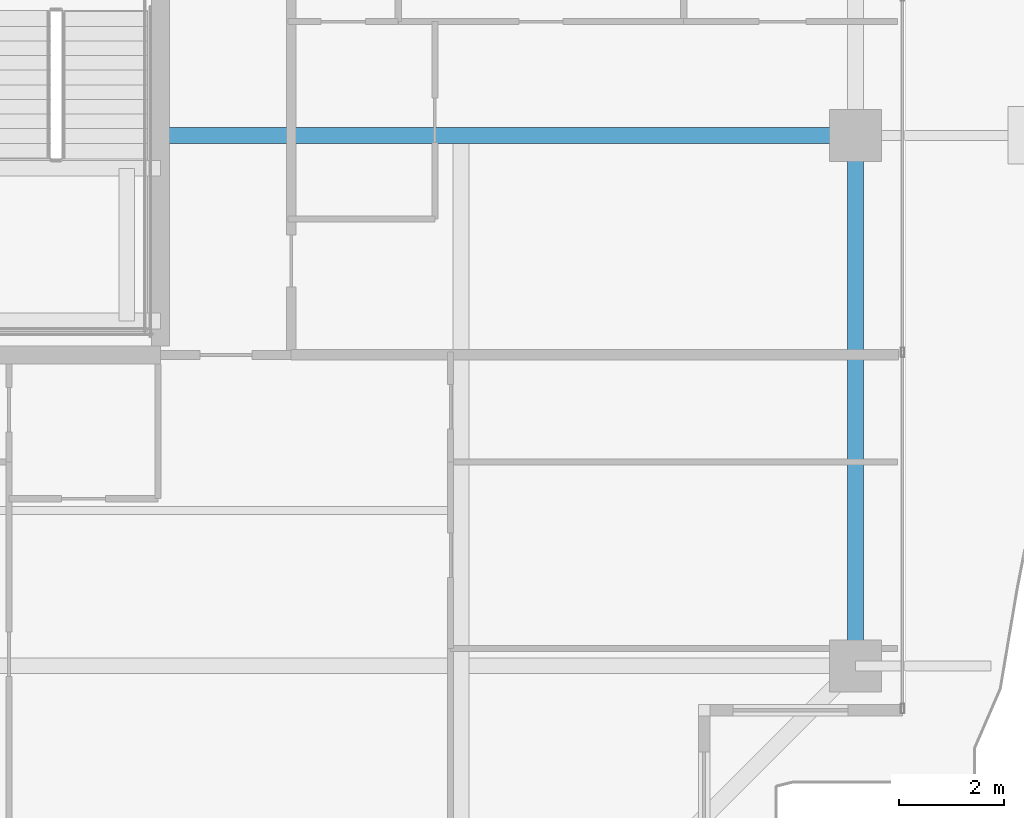
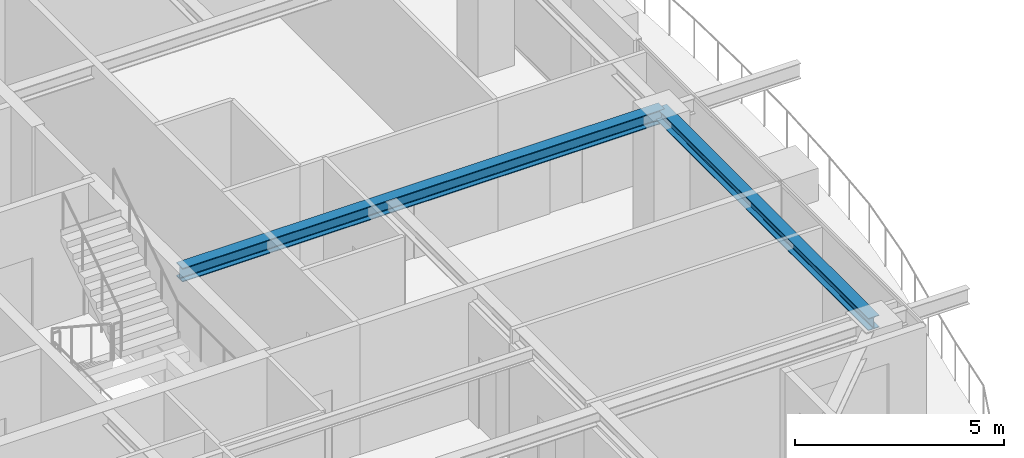
# One storey, part 15 of 42: 2 beams.
"""IFC4 building model written with IfcOpenShell, lengths in metres."""

from ifc_helpers import new_model, si_unit, direction, frame, origin, origin_2d, place, context, subcontext, project, spatial, i_section, extrude, source, transform, mapped, material, material_profile, profile_set, type_object, element, save


model = new_model("IFC4")

# Units and contexts
model_context = context("Model", 3, precision=1e-05, world=origin(), true_north=direction((0.0, 1.0)))
body_context = subcontext(model_context, "Body", "Model", "MODEL_VIEW")
ifc_project = project(units=[si_unit("LENGTHUNIT", "METRE"), si_unit("AREAUNIT", "SQUARE_METRE"), si_unit("VOLUMEUNIT", "CUBIC_METRE"), si_unit("PLANEANGLEUNIT", "RADIAN"), si_unit("MASSUNIT", "GRAM", prefix="KILO")], contexts=[model_context])

# Site, building, storey
site_placement = place(None, origin())
site = spatial("IfcSite", under=ifc_project, at=site_placement, CompositionType="ELEMENT")
building_placement = place(site_placement, origin())
building = spatial("IfcBuilding", under=site, at=building_placement, Name="Serunith Strait Residences", CompositionType="ELEMENT")
storey_placement = place(building_placement, frame((0.0, 0.0, 293.449951171875)))
storey = spatial("IfcBuildingStorey", under=building, at=storey_placement, Name="L73", CompositionType="ELEMENT", Elevation=293.449951171875)

# Beams
ifc_material = material(Name="Steel S355J2", Category="steel")
ifc_material_profile_1 = material_profile(ifc_material, i_section(OverallWidth=0.300048828125, OverallDepth=0.39990234375, WebThickness=0.013427734375, FlangeThickness=0.02392578125, FilletRadius=0.027099609375, at=origin_2d()), Name="HEB 400")
ifc_profile_set_1 = profile_set([ifc_material_profile_1], Name="Steel S355J2")
beam_type_1 = type_object("IfcBeamType", Name="BM-HEB400", PredefinedType="BEAM", material=ifc_profile_set_1)
shared_shape_1 = source(origin(), body_context, "Body", "SweptSolid", [
    extrude(i_section(OverallWidth=0.300048828125, OverallDepth=0.39990234375, WebThickness=0.013427734375, FlangeThickness=0.02392578125, FilletRadius=0.027099609375, at=origin_2d()), origin(), (0.0, 0.0, 1.0), 13.300048828125),
])
beam_1_placement = place(storey_placement, frame((41.39990234375, 21.0, 3.587158203125), z_axis=(1.0, 0.0, 0.0), x_axis=(0.0, 1.0, 0.0)))
element("IfcBeam", 1, at=beam_1_placement, inside=storey, type_object=beam_type_1, Name="L73 Primary Floor Girder TC-E2", PredefinedType="BEAM", context=body_context, shape_type="MappedRepresentation", body=[
    mapped(shared_shape_1, transform((0.0, 0.0, 0.0), scale=1.0)),
])
ifc_material_profile_2 = material_profile(ifc_material, i_section(OverallWidth=0.300048828125, OverallDepth=0.360107421875, WebThickness=0.012451171875, FlangeThickness=0.0224609375, FilletRadius=0.027099609375, at=origin_2d()), Name="HEB 360")
ifc_profile_set_2 = profile_set([ifc_material_profile_2], Name="Steel S355J2")
beam_type_2 = type_object("IfcBeamType", Name="BM-HEB360", PredefinedType="BEAM", material=ifc_profile_set_2)
shared_shape_2 = source(origin(), body_context, "Body", "SweptSolid", [
    extrude(i_section(OverallWidth=0.300048828125, OverallDepth=0.360107421875, WebThickness=0.012451171875, FlangeThickness=0.0224609375, FilletRadius=0.027099609375, at=origin_2d()), origin(), (0.0, 0.0, 1.0), 10.14990234375),
])
beam_2_placement = place(storey_placement, frame((54.699951171875, 10.85009765625, 3.60693359375), z_axis=(0.0, 1.0, 0.0), x_axis=(-1.0, 0.0, 0.0)))
element("IfcBeam", 2, at=beam_2_placement, inside=storey, type_object=beam_type_2, Name="L73 Perimeter Ring Beam 05", PredefinedType="BEAM", context=body_context, shape_type="MappedRepresentation", body=[
    mapped(shared_shape_2, transform((0.0, 0.0, 0.0), scale=1.0)),
])

save(model, "model.ifc")
